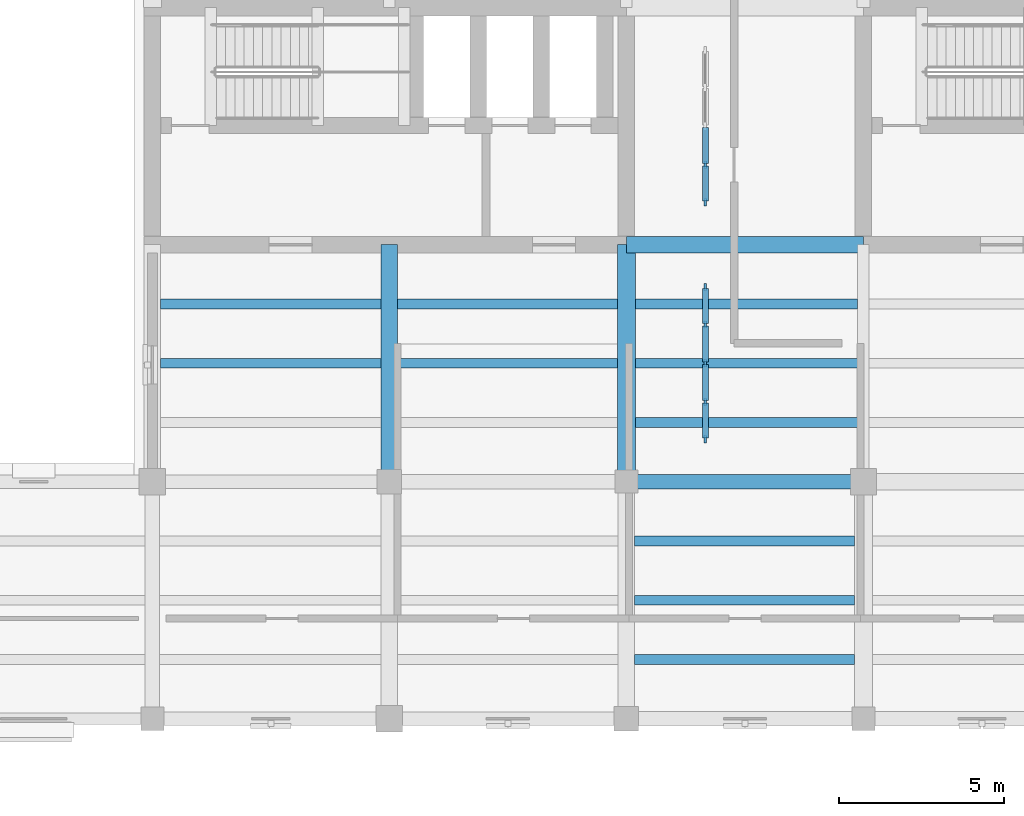
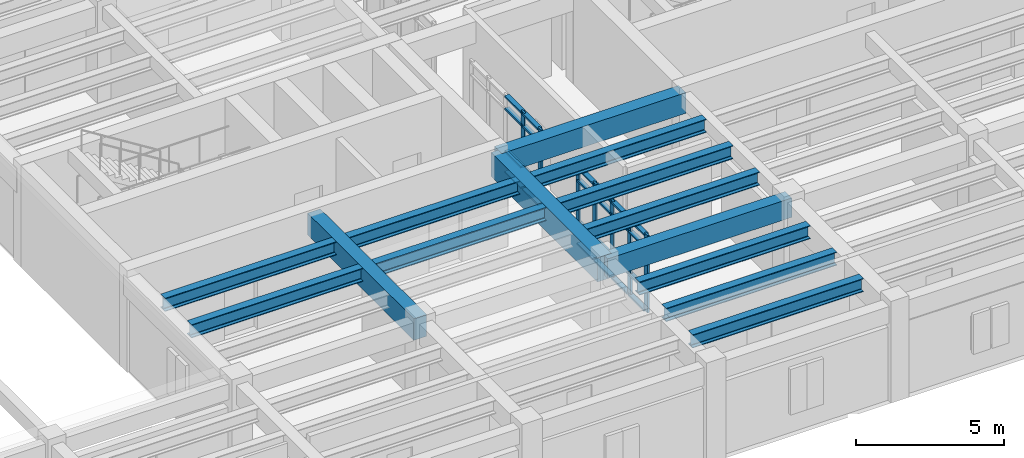
# One storey, part 21 of 76: 31 members, 14 beams, 2 elements without a shape of their own.
"""IFC4 building model written with IfcOpenShell, lengths in metres."""

from ifc_helpers import new_model, si_unit, direction, frame, origin, origin_2d, place, context, subcontext, project, spatial, rectangle, i_section, extrude, material, material_profile, profile_set, type_object, element, aggregate, save


model = new_model("IFC4")

# Units and contexts
model_context = context("Model", 3, precision=1e-05, world=origin(), true_north=direction((0.0, 1.0)))
body_context = subcontext(model_context, "Body", "Model", "MODEL_VIEW")
ifc_project = project(units=[si_unit("LENGTHUNIT", "METRE"), si_unit("AREAUNIT", "SQUARE_METRE"), si_unit("VOLUMEUNIT", "CUBIC_METRE"), si_unit("PLANEANGLEUNIT", "RADIAN"), si_unit("MASSUNIT", "GRAM", prefix="KILO")], contexts=[model_context])

# Site, building, storey
site_placement = place(None, origin())
site = spatial("IfcSite", under=ifc_project, at=site_placement, CompositionType="ELEMENT")
building_placement = place(site_placement, origin())
building = spatial("IfcBuilding", under=site, at=building_placement, Name="Mithqara Police Headquarters", CompositionType="ELEMENT")
storey_placement = place(building_placement, frame((0.0, 0.0, 5.39990234375)))
storey = spatial("IfcBuildingStorey", under=building, at=storey_placement, Name="L01", CompositionType="ELEMENT", Elevation=5.39990234375)

# Beams
ifc_material_1 = material(Name="Steel S355JR", Category="steel")
ifc_material_profile_1 = material_profile(ifc_material_1, i_section(OverallWidth=0.300048828125, OverallDepth=0.550048828125, WebThickness=0.014892578125, FlangeThickness=0.029052734375, FilletRadius=0.027099609375, at=origin_2d()), Name="HEB 550")
ifc_profile_set_1 = profile_set([ifc_material_profile_1], Name="Steel S355JR")
beam_type_1 = type_object("IfcBeamType", Name="BEAM HEB550", PredefinedType="BEAM", material=ifc_profile_set_1)
for number, where, z_axis, x_axis, name in (
    (1, (108.85009765625, 89.39990234375, 3.64501953125), (1.0, 0.0, 0.0), (0.0, 1.0, 0.0), "L01 Composite Steel Joist 16-17/N.2"),
    (2, (108.85009765625, 91.199951171875, 3.64501953125), (1.0, 0.0, 0.0), (0.0, 1.0, 0.0), "L01 Composite Steel Joist 16-17/N.3"),
):
    element("IfcBeam", number, at=place(storey_placement, frame(where, z_axis=z_axis, x_axis=x_axis)), inside=storey, type_object=beam_type_1, Name=name, PredefinedType="BEAM", context=body_context, shape_type="SweptSolid", body=[
        extrude(i_section(OverallWidth=0.300048828125, OverallDepth=0.550048828125, WebThickness=0.014892578125, FlangeThickness=0.029052734375, FilletRadius=0.027099609375, at=origin_2d()), origin(), (0.0, 0.0, 1.0), 6.699951171875),
    ])
for number, where, z_axis, x_axis, name in (
    (3, (116.050048828125, 89.39990234375, 3.64501953125), (1.0, 0.0, 0.0), (0.0, 1.0, 0.0), "L01 Composite Steel Joist 17-18/N.2"),
    (4, (116.050048828125, 91.199951171875, 3.64501953125), (1.0, 0.0, 0.0), (0.0, 1.0, 0.0), "L01 Composite Steel Joist 17-18/N.3"),
    (5, (123.25, 80.39990234375, 3.64501953125), (1.0, 0.0, 0.0), (0.0, 1.0, 0.0), "L01 Composite Steel Joist 18-19/M.1"),
    (6, (123.25, 82.199951171875, 3.64501953125), (1.0, 0.0, 0.0), (0.0, 1.0, 0.0), "L01 Composite Steel Joist 18-19/M.2"),
    (7, (123.25, 84.0, 3.64501953125), (1.0, 0.0, 0.0), (0.0, 1.0, 0.0), "L01 Composite Steel Joist 18-19/M.3"),
):
    element("IfcBeam", number, at=place(storey_placement, frame(where, z_axis=z_axis, x_axis=x_axis)), inside=storey, type_object=beam_type_1, Name=name, PredefinedType="BEAM", context=body_context, shape_type="SweptSolid", body=[
        extrude(i_section(OverallWidth=0.300048828125, OverallDepth=0.550048828125, WebThickness=0.014892578125, FlangeThickness=0.029052734375, FilletRadius=0.027099609375, at=origin_2d()), origin(), (0.0, 0.0, 1.0), 6.675048828125),
    ])
for number, where, z_axis, x_axis, name in (
    (8, (123.27490234375, 87.60009765625, 3.64501953125), (1.0, 0.0, 0.0), (0.0, 1.0, 0.0), "L01 Composite Steel Joist 18-19/N.1"),
    (9, (123.27490234375, 89.39990234375, 3.64501953125), (1.0, 0.0, 0.0), (0.0, 1.0, 0.0), "L01 Composite Steel Joist 18-19/N.2"),
    (10, (123.27490234375, 91.199951171875, 3.64501953125), (1.0, 0.0, 0.0), (0.0, 1.0, 0.0), "L01 Composite Steel Joist 18-19/N.3"),
):
    element("IfcBeam", number, at=place(storey_placement, frame(where, z_axis=z_axis, x_axis=x_axis)), inside=storey, type_object=beam_type_1, Name=name, PredefinedType="BEAM", context=body_context, shape_type="SweptSolid", body=[
        extrude(i_section(OverallWidth=0.300048828125, OverallDepth=0.550048828125, WebThickness=0.014892578125, FlangeThickness=0.029052734375, FilletRadius=0.027099609375, at=origin_2d()), origin(), (0.0, 0.0, 1.0), 6.75),
    ])
ifc_material_2 = material(Name="Concrete C40/50", Category="concrete")
ifc_material_profile_2 = material_profile(ifc_material_2, rectangle(XDim=0.449951171875, YDim=0.800048828125, at=origin_2d()), Name="RC 450x800")
ifc_profile_set_2 = profile_set([ifc_material_profile_2], Name="Concrete C40/50")
beam_type_2 = type_object("IfcBeamType", Name="BEAM RC450X800", PredefinedType="BEAM", material=ifc_profile_set_2)
beam_1_placement = place(storey_placement, frame((123.0, 85.800048828125, 3.52001953125), z_axis=(1.0, 0.0, 0.0), x_axis=(0.0, 1.0, 0.0)))
element("IfcBeam", 11, at=beam_1_placement, inside=storey, type_object=beam_type_2, Name="L01 Girder 18-19/N", PredefinedType="BEAM", context=body_context, shape_type="SweptSolid", body=[
    extrude(rectangle(XDim=0.449951171875, YDim=0.800048828125, at=origin_2d()), origin(), (0.0, 0.0, 1.0), 7.199951171875),
])
ifc_material_profile_3 = material_profile(ifc_material_2, rectangle(XDim=0.5, YDim=0.85009765625, at=origin_2d()), Name="RC 500x850")
ifc_profile_set_3 = profile_set([ifc_material_profile_3], Name="Concrete C40/50")
beam_type_3 = type_object("IfcBeamType", Name="BEAM RC500X850", PredefinedType="BEAM", material=ifc_profile_set_3)
beam_2_placement = place(storey_placement, frame((123.0, 93.0, 3.4951171875), z_axis=(1.0, 0.0, 0.0), x_axis=(0.0, 1.0, 0.0)))
element("IfcBeam", 12, at=beam_2_placement, inside=storey, type_object=beam_type_3, Name="L01 Girder 18-19/P", PredefinedType="BEAM", context=body_context, shape_type="SweptSolid", body=[
    extrude(rectangle(XDim=0.5, YDim=0.85009765625, at=origin_2d()), origin(), (0.0, 0.0, 1.0), 7.199951171875),
])
ifc_material_3 = material(Name="Concrete C50/60", Category="concrete")
ifc_material_profile_4 = material_profile(ifc_material_3, rectangle(XDim=0.5, YDim=0.89990234375, at=origin_2d()), Name="RC 500x900")
ifc_profile_set_4 = profile_set([ifc_material_profile_4], Name="Concrete C50/60")
beam_type_4 = type_object("IfcBeamType", Name="BEAM RC500X900", PredefinedType="BEAM", material=ifc_profile_set_4)
beam_3_placement = place(storey_placement, frame((115.800048828125, 85.800048828125, 3.47021484375), z_axis=(0.0, 1.0, 0.0), x_axis=(-1.0, 0.0, 0.0)))
element("IfcBeam", 13, at=beam_3_placement, inside=storey, type_object=beam_type_4, Name="L01 Girder 17/N-P", PredefinedType="BEAM", context=body_context, shape_type="SweptSolid", body=[
    extrude(rectangle(XDim=0.5, YDim=0.89990234375, at=origin_2d()), origin(), (0.0, 0.0, 1.0), 7.199951171875),
])
ifc_material_profile_5 = material_profile(ifc_material_3, rectangle(XDim=0.550048828125, YDim=1.0, at=origin_2d()), Name="RC 550x1000")
ifc_profile_set_5 = profile_set([ifc_material_profile_5], Name="Concrete C50/60")
beam_type_5 = type_object("IfcBeamType", Name="BEAM RC550X1000", PredefinedType="BEAM", material=ifc_profile_set_5)
beam_4_placement = place(storey_placement, frame((123.0, 85.800048828125, 3.420166015625), z_axis=(0.0, 1.0, 0.0), x_axis=(-1.0, 0.0, 0.0)))
element("IfcBeam", 14, at=beam_4_placement, inside=storey, type_object=beam_type_5, Name="L01 Girder 18/N-P", PredefinedType="BEAM", context=body_context, shape_type="SweptSolid", body=[
    extrude(rectangle(XDim=0.550048828125, YDim=1.0, at=origin_2d()), origin(), (0.0, 0.0, 1.0), 7.199951171875),
])

# Curtain wall, members
ifc_material_4 = material(Name="Bronze anodised aluminium 6063-T6", Category="aluminium")
curtain_wall_type = type_object("IfcCurtainWallType", Name="CURTAIN WALL 4700X3200", PredefinedType="USERDEFINED", material=ifc_material_4)
curtain_wall_1_placement = place(storey_placement, origin())
curtain_wall_1 = element("IfcCurtainWall", 15, at=curtain_wall_1_placement, inside=storey, type_object=curtain_wall_type, Name="L01 Unitised Glazing CW-15 (CW-INT-L01-X17-Y12-0)", ObjectType="UNITISED GLAZING", PredefinedType="USERDEFINED")
ifc_material_profile_6 = material_profile(ifc_material_4, rectangle(XDim=0.074951171875, YDim=0.219970703125, at=origin_2d()), Name="CWM 75x220")
ifc_profile_set_6 = profile_set([ifc_material_profile_6], Name="Bronze anodised aluminium 6063-T6")
member_type_1 = type_object("IfcMemberType", Name="CWMULLION 75X220", PredefinedType="MULLION", material=ifc_profile_set_6)
member_1_placement = place(storey_placement, frame((125.39990234375, 87.08740234375, 0.0), z_axis=(0.0, 0.0, 1.0), x_axis=(-1.0, 0.0, 0.0)))
member_1 = element("IfcMember", 16, at=member_1_placement, type_object=member_type_1, Name="CW-15 mullion 1", PredefinedType="MULLION", context=body_context, shape_type="SweptSolid", body=[
    extrude(rectangle(XDim=0.074951171875, YDim=0.219970703125, at=origin_2d()), origin(), (0.0, 0.0, 1.0), 3.2001953125),
])
member_2_placement = place(storey_placement, frame((125.39990234375, 88.22509765625, 0.0), z_axis=(0.0, 0.0, 1.0), x_axis=(-1.0, 0.0, 0.0)))
member_2 = element("IfcMember", 17, at=member_2_placement, type_object=member_type_1, Name="CW-15 mullion 2", PredefinedType="MULLION", context=body_context, shape_type="SweptSolid", body=[
    extrude(rectangle(XDim=0.074951171875, YDim=0.219970703125, at=origin_2d()), origin(), (0.0, 0.0, 1.0), 3.2001953125),
])
member_3_placement = place(storey_placement, frame((125.39990234375, 89.39990234375, 0.0), z_axis=(0.0, 0.0, 1.0), x_axis=(-1.0, 0.0, 0.0)))
member_3 = element("IfcMember", 18, at=member_3_placement, type_object=member_type_1, Name="CW-15 mullion 3", PredefinedType="MULLION", context=body_context, shape_type="SweptSolid", body=[
    extrude(rectangle(XDim=0.074951171875, YDim=0.219970703125, at=origin_2d()), origin(), (0.0, 0.0, 1.0), 3.2001953125),
])
member_4_placement = place(storey_placement, frame((125.39990234375, 90.574951171875, 0.0), z_axis=(0.0, 0.0, 1.0), x_axis=(-1.0, 0.0, 0.0)))
member_4 = element("IfcMember", 19, at=member_4_placement, type_object=member_type_1, Name="CW-15 mullion 4", PredefinedType="MULLION", context=body_context, shape_type="SweptSolid", body=[
    extrude(rectangle(XDim=0.074951171875, YDim=0.219970703125, at=origin_2d()), origin(), (0.0, 0.0, 1.0), 3.2001953125),
])
member_5_placement = place(storey_placement, frame((125.39990234375, 91.71240234375, 0.0), z_axis=(0.0, 0.0, 1.0), x_axis=(-1.0, 0.0, 0.0)))
member_5 = element("IfcMember", 20, at=member_5_placement, type_object=member_type_1, Name="CW-15 mullion 5", PredefinedType="MULLION", context=body_context, shape_type="SweptSolid", body=[
    extrude(rectangle(XDim=0.074951171875, YDim=0.219970703125, at=origin_2d()), origin(), (0.0, 0.0, 1.0), 3.2001953125),
])

curtain_wall_2_placement = place(storey_placement, origin())
curtain_wall_2 = element("IfcCurtainWall", 21, at=curtain_wall_2_placement, inside=storey, type_object=curtain_wall_type, Name="L01 Unitised Glazing CW-15 (CW-INT-L01-X17-Y13-0)", ObjectType="UNITISED GLAZING", PredefinedType="USERDEFINED")
member_6_placement = place(storey_placement, frame((125.39990234375, 94.28759765625, 0.0), z_axis=(0.0, 0.0, 1.0), x_axis=(-1.0, 0.0, 0.0)))
member_6 = element("IfcMember", 22, at=member_6_placement, type_object=member_type_1, Name="CW-15 mullion 1", PredefinedType="MULLION", context=body_context, shape_type="SweptSolid", body=[
    extrude(rectangle(XDim=0.074951171875, YDim=0.219970703125, at=origin_2d()), origin(), (0.0, 0.0, 1.0), 3.2001953125),
])
member_7_placement = place(storey_placement, frame((125.39990234375, 95.425048828125, 0.0), z_axis=(0.0, 0.0, 1.0), x_axis=(-1.0, 0.0, 0.0)))
member_7 = element("IfcMember", 23, at=member_7_placement, type_object=member_type_1, Name="CW-15 mullion 2", PredefinedType="MULLION", context=body_context, shape_type="SweptSolid", body=[
    extrude(rectangle(XDim=0.074951171875, YDim=0.219970703125, at=origin_2d()), origin(), (0.0, 0.0, 1.0), 3.2001953125),
])

# Member
ifc_material_profile_7 = material_profile(ifc_material_4, rectangle(XDim=0.179931640625, YDim=0.074951171875, at=origin_2d()), Name="CWT 180x75")
ifc_profile_set_7 = profile_set([ifc_material_profile_7], Name="Bronze anodised aluminium 6063-T6")
member_type_2 = type_object("IfcMemberType", Name="CWTRANSOM 180X75", PredefinedType="USERDEFINED", material=ifc_profile_set_7)
member_8_placement = place(storey_placement, frame((125.39990234375, 87.125, 0.03759765625), z_axis=(0.0, 1.0, 0.0), x_axis=(-1.0, 0.0, 0.0)))
member_8 = element("IfcMember", 24, at=member_8_placement, type_object=member_type_2, Name="CW-15 transom 1.1", ObjectType="TRANSOM", PredefinedType="USERDEFINED", context=body_context, shape_type="SweptSolid", body=[
    extrude(rectangle(XDim=0.179931640625, YDim=0.074951171875, at=origin_2d()), origin(), (0.0, 0.0, 1.0), 1.0625),
])

member_9_placement = place(storey_placement, frame((125.39990234375, 87.125, 0.900146484375), z_axis=(0.0, 1.0, 0.0), x_axis=(-1.0, 0.0, 0.0)))
member_9 = element("IfcMember", 25, at=member_9_placement, type_object=member_type_2, Name="CW-15 transom 1.2", ObjectType="TRANSOM", PredefinedType="USERDEFINED", context=body_context, shape_type="SweptSolid", body=[
    extrude(rectangle(XDim=0.179931640625, YDim=0.074951171875, at=origin_2d()), origin(), (0.0, 0.0, 1.0), 1.0625),
])

member_10_placement = place(storey_placement, frame((125.39990234375, 87.125, 2.650146484375), z_axis=(0.0, 1.0, 0.0), x_axis=(-1.0, 0.0, 0.0)))
member_10 = element("IfcMember", 26, at=member_10_placement, type_object=member_type_2, Name="CW-15 transom 1.3", ObjectType="TRANSOM", PredefinedType="USERDEFINED", context=body_context, shape_type="SweptSolid", body=[
    extrude(rectangle(XDim=0.179931640625, YDim=0.074951171875, at=origin_2d()), origin(), (0.0, 0.0, 1.0), 1.0625),
])

member_11_placement = place(storey_placement, frame((125.39990234375, 87.125, 3.16259765625), z_axis=(0.0, 1.0, 0.0), x_axis=(-1.0, 0.0, 0.0)))
member_11 = element("IfcMember", 27, at=member_11_placement, type_object=member_type_2, Name="CW-15 transom 1.4", ObjectType="TRANSOM", PredefinedType="USERDEFINED", context=body_context, shape_type="SweptSolid", body=[
    extrude(rectangle(XDim=0.179931640625, YDim=0.074951171875, at=origin_2d()), origin(), (0.0, 0.0, 1.0), 1.0625),
])

member_12_placement = place(storey_placement, frame((125.39990234375, 88.262451171875, 0.03759765625), z_axis=(0.0, 1.0, 0.0), x_axis=(-1.0, 0.0, 0.0)))
member_12 = element("IfcMember", 28, at=member_12_placement, type_object=member_type_2, Name="CW-15 transom 2.1", ObjectType="TRANSOM", PredefinedType="USERDEFINED", context=body_context, shape_type="SweptSolid", body=[
    extrude(rectangle(XDim=0.179931640625, YDim=0.074951171875, at=origin_2d()), origin(), (0.0, 0.0, 1.0), 1.10009765625),
])

member_13_placement = place(storey_placement, frame((125.39990234375, 88.262451171875, 0.900146484375), z_axis=(0.0, 1.0, 0.0), x_axis=(-1.0, 0.0, 0.0)))
member_13 = element("IfcMember", 29, at=member_13_placement, type_object=member_type_2, Name="CW-15 transom 2.2", ObjectType="TRANSOM", PredefinedType="USERDEFINED", context=body_context, shape_type="SweptSolid", body=[
    extrude(rectangle(XDim=0.179931640625, YDim=0.074951171875, at=origin_2d()), origin(), (0.0, 0.0, 1.0), 1.10009765625),
])

member_14_placement = place(storey_placement, frame((125.39990234375, 88.262451171875, 2.650146484375), z_axis=(0.0, 1.0, 0.0), x_axis=(-1.0, 0.0, 0.0)))
member_14 = element("IfcMember", 30, at=member_14_placement, type_object=member_type_2, Name="CW-15 transom 2.3", ObjectType="TRANSOM", PredefinedType="USERDEFINED", context=body_context, shape_type="SweptSolid", body=[
    extrude(rectangle(XDim=0.179931640625, YDim=0.074951171875, at=origin_2d()), origin(), (0.0, 0.0, 1.0), 1.10009765625),
])

member_15_placement = place(storey_placement, frame((125.39990234375, 88.262451171875, 3.16259765625), z_axis=(0.0, 1.0, 0.0), x_axis=(-1.0, 0.0, 0.0)))
member_15 = element("IfcMember", 31, at=member_15_placement, type_object=member_type_2, Name="CW-15 transom 2.4", ObjectType="TRANSOM", PredefinedType="USERDEFINED", context=body_context, shape_type="SweptSolid", body=[
    extrude(rectangle(XDim=0.179931640625, YDim=0.074951171875, at=origin_2d()), origin(), (0.0, 0.0, 1.0), 1.10009765625),
])

member_16_placement = place(storey_placement, frame((125.39990234375, 89.4375, 0.03759765625), z_axis=(0.0, 1.0, 0.0), x_axis=(-1.0, 0.0, 0.0)))
member_16 = element("IfcMember", 32, at=member_16_placement, type_object=member_type_2, Name="CW-15 transom 3.1", ObjectType="TRANSOM", PredefinedType="USERDEFINED", context=body_context, shape_type="SweptSolid", body=[
    extrude(rectangle(XDim=0.179931640625, YDim=0.074951171875, at=origin_2d()), origin(), (0.0, 0.0, 1.0), 1.10009765625),
])

member_17_placement = place(storey_placement, frame((125.39990234375, 89.4375, 0.900146484375), z_axis=(0.0, 1.0, 0.0), x_axis=(-1.0, 0.0, 0.0)))
member_17 = element("IfcMember", 33, at=member_17_placement, type_object=member_type_2, Name="CW-15 transom 3.2", ObjectType="TRANSOM", PredefinedType="USERDEFINED", context=body_context, shape_type="SweptSolid", body=[
    extrude(rectangle(XDim=0.179931640625, YDim=0.074951171875, at=origin_2d()), origin(), (0.0, 0.0, 1.0), 1.10009765625),
])

member_18_placement = place(storey_placement, frame((125.39990234375, 89.4375, 2.650146484375), z_axis=(0.0, 1.0, 0.0), x_axis=(-1.0, 0.0, 0.0)))
member_18 = element("IfcMember", 34, at=member_18_placement, type_object=member_type_2, Name="CW-15 transom 3.3", ObjectType="TRANSOM", PredefinedType="USERDEFINED", context=body_context, shape_type="SweptSolid", body=[
    extrude(rectangle(XDim=0.179931640625, YDim=0.074951171875, at=origin_2d()), origin(), (0.0, 0.0, 1.0), 1.10009765625),
])

member_19_placement = place(storey_placement, frame((125.39990234375, 89.4375, 3.16259765625), z_axis=(0.0, 1.0, 0.0), x_axis=(-1.0, 0.0, 0.0)))
member_19 = element("IfcMember", 35, at=member_19_placement, type_object=member_type_2, Name="CW-15 transom 3.4", ObjectType="TRANSOM", PredefinedType="USERDEFINED", context=body_context, shape_type="SweptSolid", body=[
    extrude(rectangle(XDim=0.179931640625, YDim=0.074951171875, at=origin_2d()), origin(), (0.0, 0.0, 1.0), 1.10009765625),
])

member_20_placement = place(storey_placement, frame((125.39990234375, 90.612548828125, 0.03759765625), z_axis=(0.0, 1.0, 0.0), x_axis=(-1.0, 0.0, 0.0)))
member_20 = element("IfcMember", 36, at=member_20_placement, type_object=member_type_2, Name="CW-15 transom 4.1", ObjectType="TRANSOM", PredefinedType="USERDEFINED", context=body_context, shape_type="SweptSolid", body=[
    extrude(rectangle(XDim=0.179931640625, YDim=0.074951171875, at=origin_2d()), origin(), (0.0, 0.0, 1.0), 1.0625),
])

member_21_placement = place(storey_placement, frame((125.39990234375, 90.612548828125, 0.900146484375), z_axis=(0.0, 1.0, 0.0), x_axis=(-1.0, 0.0, 0.0)))
member_21 = element("IfcMember", 37, at=member_21_placement, type_object=member_type_2, Name="CW-15 transom 4.2", ObjectType="TRANSOM", PredefinedType="USERDEFINED", context=body_context, shape_type="SweptSolid", body=[
    extrude(rectangle(XDim=0.179931640625, YDim=0.074951171875, at=origin_2d()), origin(), (0.0, 0.0, 1.0), 1.0625),
])

member_22_placement = place(storey_placement, frame((125.39990234375, 90.612548828125, 2.650146484375), z_axis=(0.0, 1.0, 0.0), x_axis=(-1.0, 0.0, 0.0)))
member_22 = element("IfcMember", 38, at=member_22_placement, type_object=member_type_2, Name="CW-15 transom 4.3", ObjectType="TRANSOM", PredefinedType="USERDEFINED", context=body_context, shape_type="SweptSolid", body=[
    extrude(rectangle(XDim=0.179931640625, YDim=0.074951171875, at=origin_2d()), origin(), (0.0, 0.0, 1.0), 1.0625),
])

member_23_placement = place(storey_placement, frame((125.39990234375, 90.612548828125, 3.16259765625), z_axis=(0.0, 1.0, 0.0), x_axis=(-1.0, 0.0, 0.0)))
member_23 = element("IfcMember", 39, at=member_23_placement, type_object=member_type_2, Name="CW-15 transom 4.4", ObjectType="TRANSOM", PredefinedType="USERDEFINED", context=body_context, shape_type="SweptSolid", body=[
    extrude(rectangle(XDim=0.179931640625, YDim=0.074951171875, at=origin_2d()), origin(), (0.0, 0.0, 1.0), 1.0625),
])

aggregate(curtain_wall_1, [member_1, member_2, member_3, member_4, member_5, member_8, member_9, member_10, member_11, member_12, member_13, member_14, member_15, member_16, member_17, member_18, member_19, member_20, member_21, member_22, member_23])

member_24_placement = place(storey_placement, frame((125.39990234375, 94.324951171875, 0.03759765625), z_axis=(0.0, 1.0, 0.0), x_axis=(-1.0, 0.0, 0.0)))
member_24 = element("IfcMember", 40, at=member_24_placement, type_object=member_type_2, Name="CW-15 transom 1.1", ObjectType="TRANSOM", PredefinedType="USERDEFINED", context=body_context, shape_type="SweptSolid", body=[
    extrude(rectangle(XDim=0.179931640625, YDim=0.074951171875, at=origin_2d()), origin(), (0.0, 0.0, 1.0), 1.0625),
])

member_25_placement = place(storey_placement, frame((125.39990234375, 94.324951171875, 0.900146484375), z_axis=(0.0, 1.0, 0.0), x_axis=(-1.0, 0.0, 0.0)))
member_25 = element("IfcMember", 41, at=member_25_placement, type_object=member_type_2, Name="CW-15 transom 1.2", ObjectType="TRANSOM", PredefinedType="USERDEFINED", context=body_context, shape_type="SweptSolid", body=[
    extrude(rectangle(XDim=0.179931640625, YDim=0.074951171875, at=origin_2d()), origin(), (0.0, 0.0, 1.0), 1.0625),
])

member_26_placement = place(storey_placement, frame((125.39990234375, 94.324951171875, 2.650146484375), z_axis=(0.0, 1.0, 0.0), x_axis=(-1.0, 0.0, 0.0)))
member_26 = element("IfcMember", 42, at=member_26_placement, type_object=member_type_2, Name="CW-15 transom 1.3", ObjectType="TRANSOM", PredefinedType="USERDEFINED", context=body_context, shape_type="SweptSolid", body=[
    extrude(rectangle(XDim=0.179931640625, YDim=0.074951171875, at=origin_2d()), origin(), (0.0, 0.0, 1.0), 1.0625),
])

member_27_placement = place(storey_placement, frame((125.39990234375, 94.324951171875, 3.16259765625), z_axis=(0.0, 1.0, 0.0), x_axis=(-1.0, 0.0, 0.0)))
member_27 = element("IfcMember", 43, at=member_27_placement, type_object=member_type_2, Name="CW-15 transom 1.4", ObjectType="TRANSOM", PredefinedType="USERDEFINED", context=body_context, shape_type="SweptSolid", body=[
    extrude(rectangle(XDim=0.179931640625, YDim=0.074951171875, at=origin_2d()), origin(), (0.0, 0.0, 1.0), 1.0625),
])

member_28_placement = place(storey_placement, frame((125.39990234375, 95.46240234375, 0.03759765625), z_axis=(0.0, 1.0, 0.0), x_axis=(-1.0, 0.0, 0.0)))
member_28 = element("IfcMember", 44, at=member_28_placement, type_object=member_type_2, Name="CW-15 transom 2.1", ObjectType="TRANSOM", PredefinedType="USERDEFINED", context=body_context, shape_type="SweptSolid", body=[
    extrude(rectangle(XDim=0.179931640625, YDim=0.074951171875, at=origin_2d()), origin(), (0.0, 0.0, 1.0), 1.10009765625),
])

member_29_placement = place(storey_placement, frame((125.39990234375, 95.46240234375, 0.900146484375), z_axis=(0.0, 1.0, 0.0), x_axis=(-1.0, 0.0, 0.0)))
member_29 = element("IfcMember", 45, at=member_29_placement, type_object=member_type_2, Name="CW-15 transom 2.2", ObjectType="TRANSOM", PredefinedType="USERDEFINED", context=body_context, shape_type="SweptSolid", body=[
    extrude(rectangle(XDim=0.179931640625, YDim=0.074951171875, at=origin_2d()), origin(), (0.0, 0.0, 1.0), 1.10009765625),
])

member_30_placement = place(storey_placement, frame((125.39990234375, 95.46240234375, 2.650146484375), z_axis=(0.0, 1.0, 0.0), x_axis=(-1.0, 0.0, 0.0)))
member_30 = element("IfcMember", 46, at=member_30_placement, type_object=member_type_2, Name="CW-15 transom 2.3", ObjectType="TRANSOM", PredefinedType="USERDEFINED", context=body_context, shape_type="SweptSolid", body=[
    extrude(rectangle(XDim=0.179931640625, YDim=0.074951171875, at=origin_2d()), origin(), (0.0, 0.0, 1.0), 1.10009765625),
])

member_31_placement = place(storey_placement, frame((125.39990234375, 95.46240234375, 3.16259765625), z_axis=(0.0, 1.0, 0.0), x_axis=(-1.0, 0.0, 0.0)))
member_31 = element("IfcMember", 47, at=member_31_placement, type_object=member_type_2, Name="CW-15 transom 2.4", ObjectType="TRANSOM", PredefinedType="USERDEFINED", context=body_context, shape_type="SweptSolid", body=[
    extrude(rectangle(XDim=0.179931640625, YDim=0.074951171875, at=origin_2d()), origin(), (0.0, 0.0, 1.0), 1.10009765625),
])

aggregate(curtain_wall_2, [member_6, member_7, member_24, member_25, member_26, member_27, member_28, member_29, member_30, member_31])

save(model, "model.ifc")
